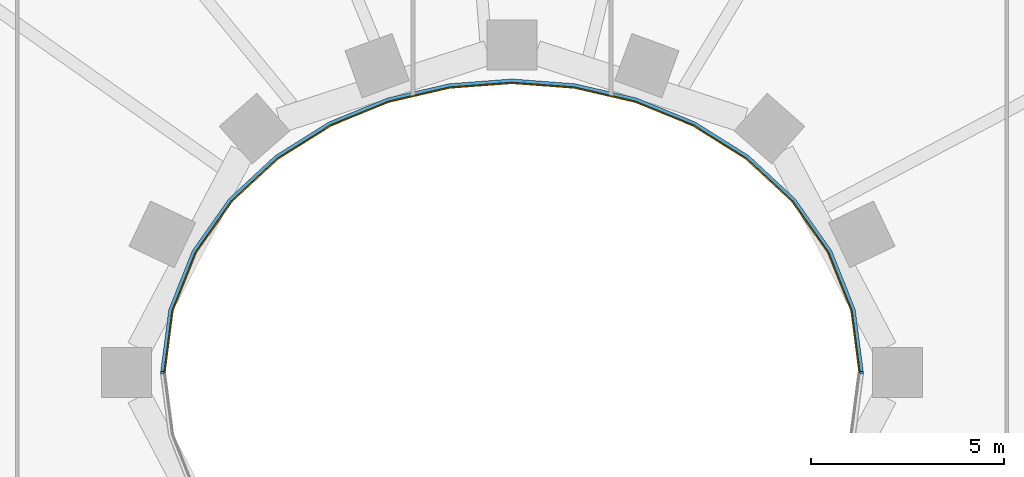
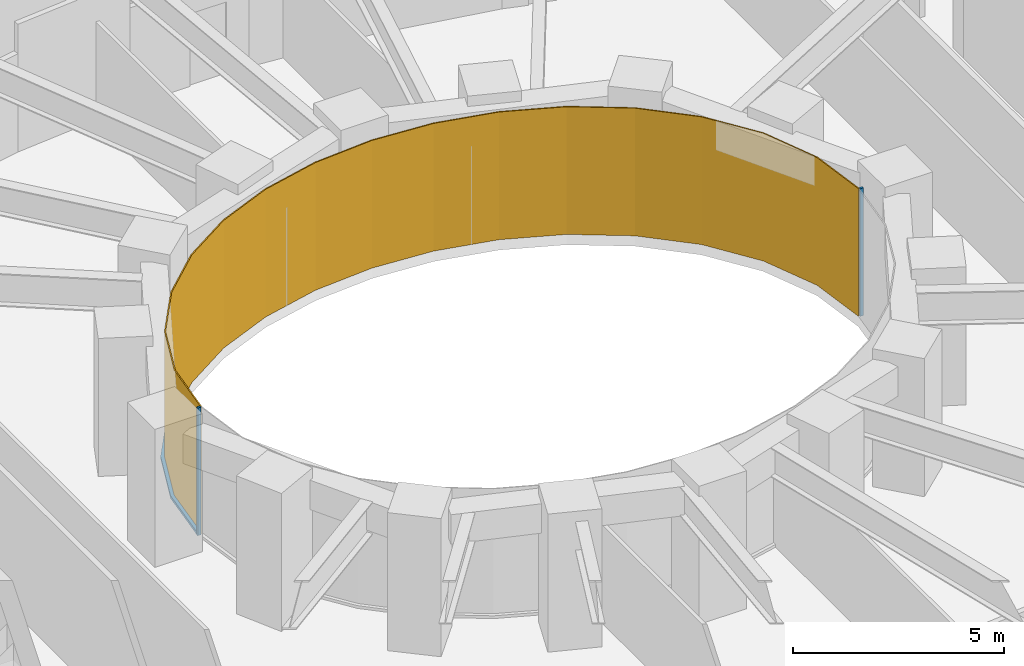
# One storey, part 12 of 16: 3 members, 1 curtain wall.
"""IFC4 building model written with IfcOpenShell, lengths in metres."""

import ifcopenshell
import ifcopenshell.guid

model = None  # the IFC model being written
_history = None  # IfcOwnerHistory: only IFC2X3 demands one
_inside = {}  # id of a spatial element -> (the spatial element, [elements in it])
_under = {}  # id of a project, library or spatial element -> (it, [spatial elements below it])
_declared = {}  # id of a project -> (the project, [libraries it declares])
_typed = {}  # id of a type object -> (the type object, [elements of that type])
_made_of = {}  # id of a material, layer set ... -> (it, [elements and type objects made of it])


def new_model(schema):
    """Start an empty IFC model of exactly this schema.

    Asked for "IFC4X3", IfcOpenShell would pick the latest addendum, in which some entities
    have other attributes; the version numbers below select the first issue.
    IFC2X3 requires an IfcOwnerHistory on every rooted entity: one is made here for all.
    """
    global model, _history
    if schema == "IFC4X3":
        model = ifcopenshell.file(schema_version=(4, 3, 0, 0))
    else:
        model = ifcopenshell.file(schema=schema)
    _inside.clear()
    _under.clear()
    _declared.clear()
    _typed.clear()
    _made_of.clear()
    _history = None
    if model.schema == "IFC2X3":
        org = make("IfcOrganization", Name="unknown")
        user = make(
            "IfcPersonAndOrganization",
            ThePerson=make("IfcPerson", FamilyName="unknown"),
            TheOrganization=org,
        )
        app = make(
            "IfcApplication",
            ApplicationDeveloper=org,
            Version="unknown",
            ApplicationFullName="unknown",
            ApplicationIdentifier="unknown",
        )
        _history = make(
            "IfcOwnerHistory",
            OwningUser=user,
            OwningApplication=app,
            ChangeAction="ADDED",
            CreationDate=0,
        )
    return model


def make(cls, **values):
    """One entity of the class cls with the attributes given. An attribute that is None is left unset."""
    return model.create_entity(
        cls, **{name: value for name, value in values.items() if value is not None}
    )


def rooted(cls, **values):
    """An entity with a GlobalId (a new one), such as an element, a storey or a relation."""
    return make(cls, GlobalId=ifcopenshell.guid.new(), OwnerHistory=_history, **values)


def si_unit(unit_type, name, prefix=None):
    """IfcSIUnit, for example si_unit("LENGTHUNIT", "METRE", prefix="MILLI")."""
    return make("IfcSIUnit", UnitType=unit_type, Prefix=prefix, Name=name)


def assignment(units):
    """IfcUnitAssignment: the units of a project."""
    return None if units is None else make("IfcUnitAssignment", Units=units)


def point(xyz):
    """IfcCartesianPoint."""
    return None if xyz is None else make("IfcCartesianPoint", Coordinates=xyz)


def direction(xyz):
    """IfcDirection."""
    return None if xyz is None else make("IfcDirection", DirectionRatios=xyz)


def frame(location, z_axis=None, x_axis=None):
    """IfcAxis2Placement3D, a coordinate frame: its origin and axes. An axis left out is left unset."""
    return make(
        "IfcAxis2Placement3D",
        Location=point(location),
        Axis=direction(z_axis),
        RefDirection=direction(x_axis),
    )


def frame_2d(location, x_axis=None):
    """IfcAxis2Placement2D, a coordinate frame in the plane: its origin and x axis."""
    return make(
        "IfcAxis2Placement2D", Location=point(location), RefDirection=direction(x_axis)
    )


def origin():
    """The frame at (0, 0, 0) with its axes left unset."""
    return frame((0.0, 0.0, 0.0))


def origin_2d():
    """The frame at (0, 0) in the plane with its x axis left unset."""
    return frame_2d((0.0, 0.0))


def place(relative_to, where):
    """IfcLocalPlacement: puts the frame where relative to a parent placement (None: the world)."""
    return make(
        "IfcLocalPlacement", PlacementRelTo=relative_to, RelativePlacement=where
    )


def context(
    kind, dimensions, precision=None, world=None, true_north=None, identifier=None
):
    """IfcGeometricRepresentationContext, for example the 3D "Model" context."""
    return make(
        "IfcGeometricRepresentationContext",
        ContextIdentifier=identifier,
        ContextType=kind,
        CoordinateSpaceDimension=dimensions,
        Precision=precision,
        WorldCoordinateSystem=world,
        TrueNorth=true_north,
    )


def subcontext(parent, identifier, kind, view, scale=None):
    """IfcGeometricRepresentationSubContext, for example "Body" below "Model"."""
    return make(
        "IfcGeometricRepresentationSubContext",
        ContextIdentifier=identifier,
        ContextType=kind,
        ParentContext=parent,
        TargetScale=scale,
        TargetView=view,
    )


def project(units=None, contexts=None):
    """IfcProject with its units and contexts."""
    return rooted(
        "IfcProject",
        Name="project",
        RepresentationContexts=contexts,
        UnitsInContext=assignment(units),
    )


def spatial(cls, under=None, at=None, **own):
    """A site, building, storey or space (cls), placed at a placement, below another one or the project."""
    s = rooted(cls, ObjectPlacement=at, **own)
    if under is not None:
        _under.setdefault(under.id(), (under, []))[1].append(s)
    return s


def polyline(points):
    """IfcPolyline through the points."""
    return make("IfcPolyline", Points=[point(p) for p in points])


def profile(cls, at=None, kind="AREA", **sizes):
    """A parametric profile (cls). Its sizes go by their IFC names, for example OverallWidth=200.0."""
    return make(cls, ProfileType=kind, Position=at, **sizes)


def rectangle(**sizes):
    """IfcRectangleProfileDef."""
    return profile("IfcRectangleProfileDef", **sizes)


def outline(outer, holes=None, kind="AREA"):
    """IfcArbitraryClosedProfileDef: a profile drawn as a closed curve; with holes, ...WithVoids."""
    if holes is None:
        return make("IfcArbitraryClosedProfileDef", ProfileType=kind, OuterCurve=outer)
    return make(
        "IfcArbitraryProfileDefWithVoids",
        ProfileType=kind,
        OuterCurve=outer,
        InnerCurves=holes,
    )


def extrude(swept, where, along, depth):
    """IfcExtrudedAreaSolid: the profile swept, set in the frame where, extruded along a direction by depth."""
    return make(
        "IfcExtrudedAreaSolid",
        SweptArea=swept,
        Position=where,
        ExtrudedDirection=direction(along),
        Depth=depth,
    )


def shape(context_of_items, identifier, shape_type, items):
    """IfcShapeRepresentation: the items that make up one representation, for example the "Body"."""
    return make(
        "IfcShapeRepresentation",
        ContextOfItems=context_of_items,
        RepresentationIdentifier=identifier,
        RepresentationType=shape_type,
        Items=items,
    )


def material(Name=None, Category=None):
    """IfcMaterial."""
    return make("IfcMaterial", Name=Name, Category=Category)


def layer(
    of_material, thickness, ventilated=None, Name=None, Category=None, Priority=None
):
    """IfcMaterialLayer: one layer of a wall or slab, of a material (None: an air gap)."""
    return make(
        "IfcMaterialLayer",
        Material=of_material,
        LayerThickness=thickness,
        IsVentilated=ventilated,
        Name=Name,
        Category=Category,
        Priority=Priority,
    )


def layer_set(layers, Name=None):
    """IfcMaterialLayerSet."""
    return make("IfcMaterialLayerSet", MaterialLayers=layers, LayerSetName=Name)


def material_profile(
    of_material, cross_section, Name=None, Category=None, Priority=None
):
    """IfcMaterialProfile: a cross section and its material."""
    return make(
        "IfcMaterialProfile",
        Name=Name,
        Material=of_material,
        Profile=cross_section,
        Priority=Priority,
        Category=Category,
    )


def profile_set(profiles, Name=None, composite=None):
    """IfcMaterialProfileSet."""
    return make(
        "IfcMaterialProfileSet",
        Name=Name,
        MaterialProfiles=profiles,
        CompositeProfile=composite,
    )


def made_of(thing, what):
    """Note that an element or type object is made of a material, layer set ...; save() writes the relation."""
    if what is not None:
        _made_of.setdefault(what.id(), (what, []))[1].append(thing)
    return thing


def type_object(cls, material=None, **own):
    """A type object (cls), such as IfcWallType, which elements share."""
    return made_of(rooted(cls, **own), material)


def element(
    cls,
    number,
    at=None,
    inside=None,
    cuts=None,
    type_object=None,
    material=None,
    context=None,
    identifier="Body",
    shape_type=None,
    held_by="IfcProductDefinitionShape",
    body=None,
    shapes=None,
    **own,
):
    """One element of the class cls, such as IfcWall. Its Tag is "e" and its number.

    at: its placement. inside: the storey or other place that contains it. cuts: it is an
    opening in that element (IfcRelVoidsElement). A single representation is given by context,
    identifier, shape_type and body (its items); several are given by shapes. held_by: the class
    of the entity that holds the representations. save() writes the other relations.
    """
    e = rooted(cls, Tag="e%d" % number, ObjectPlacement=at, **own)
    if body is not None:
        shapes = [shape(context, identifier, shape_type, body)]
    if shapes is not None:
        e.Representation = make(held_by, Representations=shapes)
    if inside is not None:
        _inside.setdefault(inside.id(), (inside, []))[1].append(e)
    if cuts is not None:
        rooted(
            "IfcRelVoidsElement", RelatingBuildingElement=cuts, RelatedOpeningElement=e
        )
    if type_object is not None:
        _typed.setdefault(type_object.id(), (type_object, []))[1].append(e)
    return made_of(e, material)


def aggregate(whole, parts):
    """IfcRelAggregates: a whole, such as a stair, and the parts it consists of."""
    return rooted("IfcRelAggregates", RelatingObject=whole, RelatedObjects=parts)


def save(model, path):
    """Write the relations noted so far, then the file.

    IfcRelAggregates (storeys below a building ...), IfcRelContainedInSpatialStructure (elements
    in a storey), IfcRelDefinesByType, IfcRelAssociatesMaterial and IfcRelDeclares: one each for
    every whole, place, type object, material and project.
    """
    for whole, parts in _under.values():
        aggregate(whole, parts)
    for where, things in _inside.values():
        rooted(
            "IfcRelContainedInSpatialStructure",
            RelatedElements=things,
            RelatingStructure=where,
        )
    for kind, things in _typed.values():
        rooted("IfcRelDefinesByType", RelatedObjects=things, RelatingType=kind)
    for what, things in _made_of.values():
        rooted("IfcRelAssociatesMaterial", RelatedObjects=things, RelatingMaterial=what)
    for by, libraries in _declared.values():
        rooted("IfcRelDeclares", RelatingContext=by, RelatedDefinitions=libraries)
    model.write(path)


model = new_model("IFC4")

# Units and contexts
model_context = context("Model", 3, precision=1e-05, world=origin(), true_north=direction((0.0, 1.0)))
body_context = subcontext(model_context, "Body", "Model", "MODEL_VIEW")
ifc_project = project(units=[si_unit("LENGTHUNIT", "METRE"), si_unit("AREAUNIT", "SQUARE_METRE"), si_unit("VOLUMEUNIT", "CUBIC_METRE"), si_unit("PLANEANGLEUNIT", "RADIAN"), si_unit("MASSUNIT", "GRAM", prefix="KILO")], contexts=[model_context])

# Member
ifc_material_1 = material(Name="Steel S355 fire-resisting frame", Category="steel")
ifc_material_profile = material_profile(ifc_material_1, rectangle(XDim=0.090087890625, YDim=0.06005859375, at=origin_2d()), Name="90x60")
ifc_profile_set = profile_set([ifc_material_profile], Name="Steel S355 fire-resisting frame")
member_type_1 = type_object("IfcMemberType", Name="ENV-MULLION-W-90", PredefinedType="MULLION", material=ifc_profile_set)
site_placement = place(None, origin())
building_placement = place(site_placement, origin())
storey_placement = place(building_placement, frame((0.0, 0.0, 70.5)))
member_1_placement = place(storey_placement, frame((9.076904296875, 0.0, 0.0), z_axis=(0.0, 0.0, 1.0), x_axis=(1.0, 0.0, 0.0)))
member_1 = element("IfcMember", 1, at=member_1_placement, type_object=member_type_1, Name="Mullion W well vertex 01", PredefinedType="MULLION", context=body_context, shape_type="SweptSolid", body=[
    extrude(rectangle(XDim=0.090087890625, YDim=0.06005859375, at=origin_2d()), origin(), (0.0, 0.0, 1.0), 3.699951171875),
])

member_2_placement = place(storey_placement, frame((-9.076904296875, 0.0, 0.0), z_axis=(0.0, 0.0, 1.0), x_axis=(-1.0, 0.0, 0.0)))
member_2 = element("IfcMember", 2, at=member_2_placement, type_object=member_type_1, Name="Mullion W well vertex 17", PredefinedType="MULLION", context=body_context, shape_type="SweptSolid", body=[
    extrude(rectangle(XDim=0.090087890625, YDim=0.06005859375, at=origin_2d()), origin(), (0.0, 0.0, 1.0), 3.699951171875),
])

ifc_material_2 = material(Name="Steel S355 fire-resisting frame", Category="steel")
member_type_2 = type_object("IfcMemberType", Name="ENV-TRANSOM-W", PredefinedType="USERDEFINED", material=ifc_material_2)
member_3_placement = place(storey_placement, origin())
member_3 = element("IfcMember", 3, at=member_3_placement, type_object=member_type_2, Name="Transom W well 01-17", ObjectType="TRANSOM", PredefinedType="USERDEFINED", context=body_context, shape_type="SweptSolid", body=[
    extrude(outline(polyline([(9.119384765625, 0.02783203125), (8.910400390625, 1.63623046875), (8.29833984375, 3.167236328125), (7.35107421875, 4.5146484375), (6.1455078125, 5.6337890625), (4.75341796875, 6.50634765625), (3.233642578125, 7.127685546875), (1.635498046875, 7.498779296875), (0.0, 7.622314453125), (-1.635498046875, 7.498779296875), (-3.233642578125, 7.127685546875), (-4.75341796875, 6.50634765625), (-6.1455078125, 5.6337890625), (-7.35107421875, 4.5146484375), (-8.29833984375, 3.167236328125), (-8.910400390625, 1.63623046875), (-9.119384765625, 0.02783203125), (-9.02880859375, 0.02783203125), (-8.822509765625, 1.61328125), (-8.21875, 3.124267578125), (-7.282958984375, 4.455078125), (-6.090576171875, 5.56201171875), (-4.712158203125, 6.426025390625), (-3.206298828125, 7.04150390625), (-1.621826171875, 7.40966796875), (0.0, 7.531982421875), (1.621826171875, 7.40966796875), (3.206298828125, 7.04150390625), (4.712158203125, 6.426025390625), (6.090576171875, 5.56201171875), (7.282958984375, 4.455078125), (8.21875, 3.124267578125), (8.822509765625, 1.61328125), (9.02880859375, 0.02783203125), (9.119384765625, 0.02783203125)])), origin(), (0.0, 0.0, 1.0), 0.080078125),
])

# Site, building, storey
site = spatial("IfcSite", under=ifc_project, at=site_placement, CompositionType="ELEMENT")
building = spatial("IfcBuilding", under=site, at=building_placement, Name="Noorbagh Ring Tower", CompositionType="ELEMENT")
storey = spatial("IfcBuildingStorey", under=building, at=storey_placement, Name="L15", CompositionType="ELEMENT", Elevation=70.5)

# Curtain wall
ifc_material_3 = material(Name="Glass fire-resisting E60 laminated", Category="glass")
ifc_layer = layer(ifc_material_3, 0.031982421875)
ifc_layer_set = layer_set([ifc_layer], Name="Glass fire-resisting E60 laminated")
curtain_wall_type = type_object("IfcCurtainWallType", Name="ENV-CW-W", PredefinedType="NOTDEFINED", material=ifc_layer_set)
curtain_wall_placement = place(storey_placement, origin())
curtain_wall = element("IfcCurtainWall", 4, at=curtain_wall_placement, inside=storey, type_object=curtain_wall_type, Name="Curtain wall W W01", PredefinedType="NOTDEFINED", context=body_context, shape_type="SweptSolid", body=[
    extrude(outline(polyline([(9.0322265625, 0.0), (8.822509765625, 1.61328125), (8.21875, 3.124267578125), (7.282958984375, 4.455078125), (6.090576171875, 5.56201171875), (4.712158203125, 6.426025390625), (3.206298828125, 7.04150390625), (1.621826171875, 7.40966796875), (0.0, 7.531982421875), (-1.621826171875, 7.40966796875), (-3.206298828125, 7.04150390625), (-4.712158203125, 6.426025390625), (-6.090576171875, 5.56201171875), (-7.282958984375, 4.455078125), (-8.21875, 3.124267578125), (-8.822509765625, 1.61328125), (-9.0322265625, 0.0), (-9.0, 0.0), (-8.79150390625, 1.605224609375), (-8.1904296875, 3.10888671875), (-7.2587890625, 4.43408203125), (-6.071044921875, 5.53662109375), (-4.697509765625, 6.3974609375), (-3.196533203125, 7.010986328125), (-1.6171875, 7.3779296875), (0.0, 7.5), (1.6171875, 7.3779296875), (3.196533203125, 7.010986328125), (4.697509765625, 6.3974609375), (6.071044921875, 5.53662109375), (7.2587890625, 4.43408203125), (8.1904296875, 3.10888671875), (8.79150390625, 1.605224609375), (9.0, 0.0), (9.0322265625, 0.0)])), origin(), (0.0, 0.0, 1.0), 3.699951171875),
])

aggregate(curtain_wall, [member_1, member_2, member_3])

save(model, "model.ifc")
